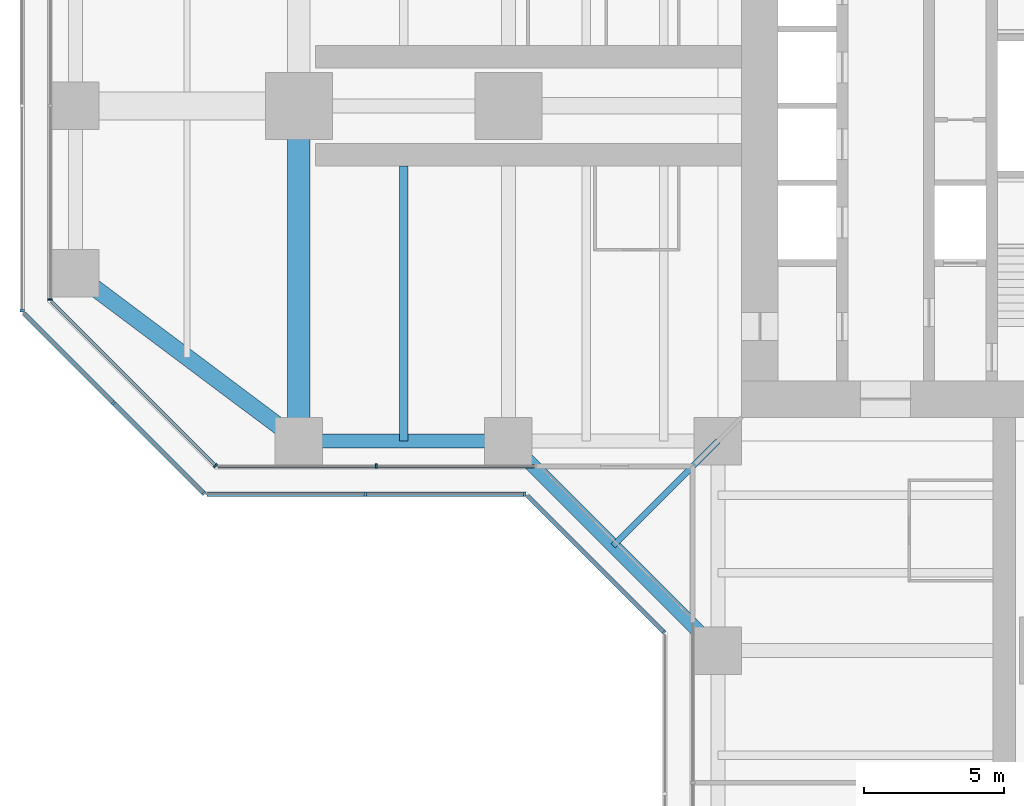
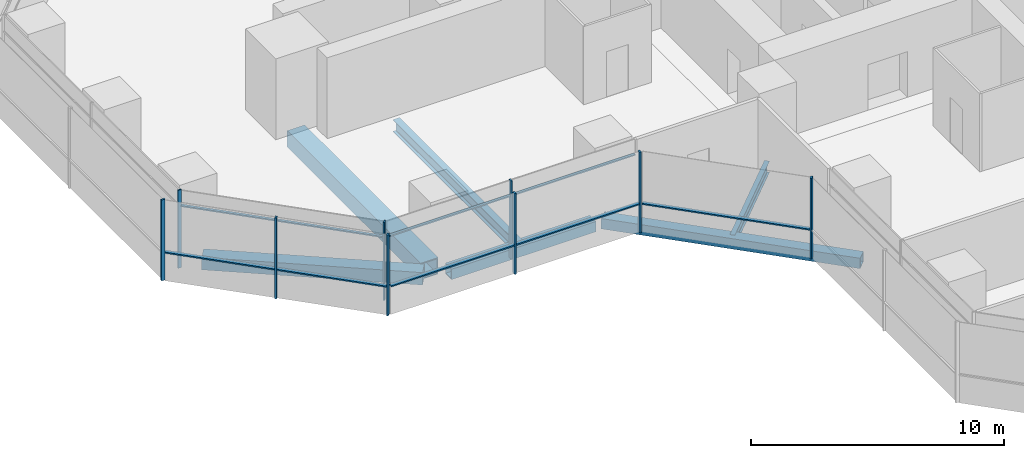
# One storey, part 3 of 22: 17 members, 6 beams, 7 elements without a shape of their own.
"""IFC4 building model written with IfcOpenShell, lengths in metres."""

from ifc_helpers import new_model, si_unit, direction, frame, origin, origin_2d, place, context, subcontext, project, spatial, rectangle, hollow_rectangle, i_section, extrude, material, material_profile, profile_set, type_object, element, aggregate, save


model = new_model("IFC4")

# Units and contexts
model_context = context("Model", 3, precision=1e-05, world=origin(), true_north=direction((0.0, 1.0)))
body_context = subcontext(model_context, "Body", "Model", "MODEL_VIEW")
ifc_project = project(units=[si_unit("LENGTHUNIT", "METRE"), si_unit("AREAUNIT", "SQUARE_METRE"), si_unit("VOLUMEUNIT", "CUBIC_METRE"), si_unit("PLANEANGLEUNIT", "RADIAN"), si_unit("MASSUNIT", "GRAM", prefix="KILO")], contexts=[model_context])

# Site, building, storey
site_placement = place(None, origin())
site = spatial("IfcSite", under=ifc_project, at=site_placement, CompositionType="ELEMENT")
building_placement = place(site_placement, origin())
building = spatial("IfcBuilding", under=site, at=building_placement, Name="Mizan Broadcast Tower", CompositionType="ELEMENT")
storey_placement = place(building_placement, frame((0.0, 0.0, 90.300048828125)))
storey = spatial("IfcBuildingStorey", under=building, at=storey_placement, Name="L19", CompositionType="ELEMENT", Elevation=90.300048828125)

# Beams
ifc_material_1 = material(Name="Steel S355", Category="steel")
ifc_material_profile_1 = material_profile(ifc_material_1, hollow_rectangle(XDim=0.5, YDim=0.5, WallThickness=0.030029296875, at=origin_2d()), Name="BOX 500x500x30")
ifc_profile_set_1 = profile_set([ifc_material_profile_1], Name="Steel S355")
beam_type_1 = type_object("IfcBeamType", Name="EDGE BEAM BOX 500x500x30", PredefinedType="SPANDREL", material=ifc_profile_set_1)
beam_1_placement = place(storey_placement, frame((-19.949951171875, -12.0, -0.380126953125), z_axis=(-1.0, 0.0, 0.0), x_axis=(0.0, -1.0, 0.0)))
element("IfcBeam", 1, at=beam_1_placement, inside=storey, type_object=beam_type_1, Name="Edge beam BOX 500x500x30 L19 west arm", PredefinedType="SPANDREL", context=body_context, shape_type="SweptSolid", body=[
    extrude(hollow_rectangle(XDim=0.5, YDim=0.5, WallThickness=0.030029296875, at=origin_2d()), origin(), (0.0, 0.0, 1.0), 6.60009765625),
])
beam_2_placement = place(storey_placement, frame((-19.5, -12.0, -0.380126953125), z_axis=(0.707106781187, -0.707106781187, 0.0), x_axis=(0.707106781187, 0.707106781187, 0.0)))
element("IfcBeam", 2, at=beam_2_placement, inside=storey, type_object=beam_type_1, Name="Winter garden edge beam L19 W", PredefinedType="SPANDREL", context=body_context, shape_type="SweptSolid", body=[
    extrude(hollow_rectangle(XDim=0.5, YDim=0.5, WallThickness=0.030029296875, at=origin_2d()), origin(), (0.0, 0.0, 1.0), 10.606689453125),
])
ifc_material_2 = material(Name="Steel S355", Category="steel")
ifc_material_profile_2 = material_profile(ifc_material_2, hollow_rectangle(XDim=0.60009765625, YDim=0.60009765625, WallThickness=0.030029296875, at=origin_2d()), Name="BOX 600x600x30")
ifc_profile_set_2 = profile_set([ifc_material_profile_2], Name="Steel S355")
beam_type_2 = type_object("IfcBeamType", Name="EDGE BEAM BOX 600x600x30", PredefinedType="SPANDREL", material=ifc_profile_set_2)
beam_3_placement = place(storey_placement, frame((-27.47998046875, -11.639892578125, -0.429931640625), z_axis=(-0.800013316712, 0.599982243973, 0.0), x_axis=(-0.599982243973, -0.800013316712, 0.0)))
element("IfcBeam", 3, at=beam_3_placement, inside=storey, type_object=beam_type_2, Name="Edge beam BOX 600x600x30 L19 west arm", PredefinedType="SPANDREL", context=body_context, shape_type="SweptSolid", body=[
    extrude(hollow_rectangle(XDim=0.60009765625, YDim=0.60009765625, WallThickness=0.030029296875, at=origin_2d()), origin(), (0.0, 0.0, 1.0), 8.7998046875),
])
ifc_material_3 = material(Name="Steel S460", Category="steel")
ifc_material_profile_3 = material_profile(ifc_material_3, hollow_rectangle(XDim=0.800048828125, YDim=0.800048828125, WallThickness=0.050048828125, at=origin_2d()), Name="BOX 800x800x50")
ifc_profile_set_3 = profile_set([ifc_material_profile_3], Name="Steel S460")
beam_type_3 = type_object("IfcBeamType", Name="GIRDER BOX 800x800x50", PredefinedType="BEAM", material=ifc_profile_set_3)
beam_4_placement = place(storey_placement, frame((-27.0, -11.280029296875, -0.530029296875), z_axis=(0.0, 1.0, 0.0), x_axis=(-1.0, 0.0, 0.0)))
element("IfcBeam", 4, at=beam_4_placement, inside=storey, type_object=beam_type_3, Name="Girder BOX 800x800x50 L19 west arm", PredefinedType="BEAM", context=body_context, shape_type="SweptSolid", body=[
    extrude(hollow_rectangle(XDim=0.800048828125, YDim=0.800048828125, WallThickness=0.050048828125, at=origin_2d()), origin(), (0.0, 0.0, 1.0), 10.56005859375),
])

# Curtain wall, member
ifc_material_4 = material(Name="Aluminium framed glazing", Category="aluminium")
curtain_wall_type_1 = type_object("IfcCurtainWallType", Name="INNER SKIN LOW ZONE", PredefinedType="USERDEFINED", material=ifc_material_4)
curtain_wall_1_placement = place(storey_placement, origin())
curtain_wall_1 = element("IfcCurtainWall", 5, at=curtain_wall_1_placement, inside=storey, type_object=curtain_wall_type_1, Name="Inner skin low zone L19 W end", ObjectType="INNER SKIN LOW ZONE", PredefinedType="USERDEFINED")
ifc_material_5 = material(Name="Aluminium, pale anodised", Category="aluminium")
ifc_material_profile_4 = material_profile(ifc_material_5, rectangle(XDim=0.159912109375, YDim=0.06005859375, at=origin_2d()), Name="MULLION 160x60")
ifc_profile_set_4 = profile_set([ifc_material_profile_4], Name="Aluminium, pale anodised")
member_type_1 = type_object("IfcMemberType", Name="INNER SKIN MULLION 60x160", PredefinedType="MULLION", material=ifc_profile_set_4)
member_1_placement = place(storey_placement, frame((-35.89990234375, -6.928466796875, 0.0), z_axis=(0.0, 0.0, 1.0), x_axis=(1.0, 0.0, 0.0)))
member_1 = element("IfcMember", 6, at=member_1_placement, type_object=member_type_1, Name="Inner skin low zone L19 W end mullion 3", PredefinedType="MULLION", context=body_context, shape_type="SweptSolid", body=[
    extrude(rectangle(XDim=0.159912109375, YDim=0.06005859375, at=origin_2d()), origin(), (0.0, 0.0, 1.0), 3.77001953125),
])
aggregate(curtain_wall_1, [member_1])

curtain_wall_2_placement = place(storey_placement, origin())
curtain_wall_2 = element("IfcCurtainWall", 7, at=curtain_wall_2_placement, inside=storey, type_object=curtain_wall_type_1, Name="Inner skin low zone L19 W chamfer", ObjectType="INNER SKIN LOW ZONE", PredefinedType="USERDEFINED")
member_2_placement = place(storey_placement, frame((-29.979736328125, -12.87890625, 0.0), z_axis=(0.0, 0.0, 1.0), x_axis=(0.707106781187, 0.707106781187, 0.0)))
member_2 = element("IfcMember", 8, at=member_2_placement, type_object=member_type_1, Name="Inner skin low zone L19 W chamfer mullion 2", PredefinedType="MULLION", context=body_context, shape_type="SweptSolid", body=[
    extrude(rectangle(XDim=0.159912109375, YDim=0.06005859375, at=origin_2d()), origin(), (0.0, 0.0, 1.0), 3.77001953125),
])

curtain_wall_3_placement = place(storey_placement, origin())
curtain_wall_3 = element("IfcCurtainWall", 9, at=curtain_wall_3_placement, inside=storey, type_object=curtain_wall_type_1, Name="Inner skin low zone L19 W side", ObjectType="INNER SKIN LOW ZONE", PredefinedType="USERDEFINED")
member_3_placement = place(storey_placement, frame((-24.229248046875, -12.89990234375, 0.0), z_axis=(0.0, 0.0, 1.0), x_axis=(0.0, 1.0, 0.0)))
member_3 = element("IfcMember", 10, at=member_3_placement, type_object=member_type_1, Name="Inner skin low zone L19 W side mullion 2", PredefinedType="MULLION", context=body_context, shape_type="SweptSolid", body=[
    extrude(rectangle(XDim=0.159912109375, YDim=0.06005859375, at=origin_2d()), origin(), (0.0, 0.0, 1.0), 3.77001953125),
])

# Member
ifc_material_6 = material(Name="Aluminium, pale anodised", Category="aluminium")
ifc_material_profile_5 = material_profile(ifc_material_6, rectangle(XDim=0.1201171875, YDim=0.06005859375, at=origin_2d()), Name="TRANSOM 120x60")
ifc_profile_set_5 = profile_set([ifc_material_profile_5], Name="Aluminium, pale anodised")
member_type_2 = type_object("IfcMemberType", Name="INNER SKIN TRANSOM 60x120", PredefinedType="USERDEFINED", material=ifc_profile_set_5)
member_4_placement = place(storey_placement, frame((-35.857666015625, -7.0009765625, 3.030029296875), z_axis=(0.707106781187, -0.707106781187, 0.0), x_axis=(0.707106781187, 0.707106781187, 0.0)))
member_4 = element("IfcMember", 11, at=member_4_placement, type_object=member_type_2, Name="Inner skin low zone L19 W chamfer transom 1.1", ObjectType="TRANSOM", PredefinedType="USERDEFINED", context=body_context, shape_type="SweptSolid", body=[
    extrude(rectangle(XDim=0.1201171875, YDim=0.06005859375, at=origin_2d()), origin(), (0.0, 0.0, 1.0), 8.28271484375),
])

aggregate(curtain_wall_2, [member_2, member_4])

member_5_placement = place(storey_placement, frame((-29.898681640625, -12.89990234375, 3.030029296875), z_axis=(1.0, 0.0, 0.0), x_axis=(0.0, 1.0, 0.0)))
member_5 = element("IfcMember", 12, at=member_5_placement, type_object=member_type_2, Name="Inner skin low zone L19 W side transom 1.1", ObjectType="TRANSOM", PredefinedType="USERDEFINED", context=body_context, shape_type="SweptSolid", body=[
    extrude(rectangle(XDim=0.1201171875, YDim=0.06005859375, at=origin_2d()), origin(), (0.0, 0.0, 1.0), 5.639404296875),
])

member_6_placement = place(storey_placement, frame((-24.19921875, -12.89990234375, 3.030029296875), z_axis=(1.0, 0.0, 0.0), x_axis=(0.0, 1.0, 0.0)))
member_6 = element("IfcMember", 13, at=member_6_placement, type_object=member_type_2, Name="Inner skin low zone L19 W side transom 2.1", ObjectType="TRANSOM", PredefinedType="USERDEFINED", context=body_context, shape_type="SweptSolid", body=[
    extrude(rectangle(XDim=0.1201171875, YDim=0.06005859375, at=origin_2d()), origin(), (0.0, 0.0, 1.0), 5.63916015625),
])

aggregate(curtain_wall_3, [member_3, member_5, member_6])

# Curtain wall, member
ifc_material_7 = material(Name="Aluminium framed glazing", Category="aluminium")
curtain_wall_type_2 = type_object("IfcCurtainWallType", Name="OUTER SKIN", PredefinedType="USERDEFINED", material=ifc_material_7)
curtain_wall_4_placement = place(storey_placement, origin())
curtain_wall_4 = element("IfcCurtainWall", 14, at=curtain_wall_4_placement, inside=storey, type_object=curtain_wall_type_2, Name="Outer skin L19 W end", ObjectType="OUTER SKIN", PredefinedType="USERDEFINED")
ifc_material_8 = material(Name="Aluminium, pale anodised", Category="aluminium")
ifc_material_profile_6 = material_profile(ifc_material_8, rectangle(XDim=0.159912109375, YDim=0.080078125, at=origin_2d()), Name="MULLION 160x80")
ifc_profile_set_6 = profile_set([ifc_material_profile_6], Name="Aluminium, pale anodised")
member_type_3 = type_object("IfcMemberType", Name="OUTER SKIN MULLION 80x160", PredefinedType="MULLION", material=ifc_profile_set_6)
member_7_placement = place(storey_placement, frame((-36.89990234375, -7.332763671875, 0.0), z_axis=(0.0, 0.0, 1.0), x_axis=(1.0, 0.0, 0.0)))
member_7 = element("IfcMember", 15, at=member_7_placement, type_object=member_type_3, Name="Outer skin L19 W end mullion 3", PredefinedType="MULLION", context=body_context, shape_type="SweptSolid", body=[
    extrude(rectangle(XDim=0.159912109375, YDim=0.080078125, at=origin_2d()), origin(), (0.0, 0.0, 1.0), 3.89990234375),
])
aggregate(curtain_wall_4, [member_7])

# Curtain wall, members
curtain_wall_5_placement = place(storey_placement, origin())
curtain_wall_5 = element("IfcCurtainWall", 16, at=curtain_wall_5_placement, inside=storey, type_object=curtain_wall_type_2, Name="Outer skin L19 W chamfer", ObjectType="OUTER SKIN", PredefinedType="USERDEFINED")
member_8_placement = place(storey_placement, frame((-33.636474609375, -10.636474609375, 0.0), z_axis=(0.0, 0.0, 1.0), x_axis=(0.707106781187, 0.707106781187, 0.0)))
member_8 = element("IfcMember", 17, at=member_8_placement, type_object=member_type_3, Name="Outer skin L19 W chamfer mullion 2", PredefinedType="MULLION", context=body_context, shape_type="SweptSolid", body=[
    extrude(rectangle(XDim=0.159912109375, YDim=0.080078125, at=origin_2d()), origin(), (0.0, 0.0, 1.0), 3.89990234375),
])
member_9_placement = place(storey_placement, frame((-30.401123046875, -13.871826171875, 0.0), z_axis=(0.0, 0.0, 1.0), x_axis=(0.707106781187, 0.707106781187, 0.0)))
member_9 = element("IfcMember", 18, at=member_9_placement, type_object=member_type_3, Name="Outer skin L19 W chamfer mullion 3", PredefinedType="MULLION", context=body_context, shape_type="SweptSolid", body=[
    extrude(rectangle(XDim=0.159912109375, YDim=0.080078125, at=origin_2d()), origin(), (0.0, 0.0, 1.0), 3.89990234375),
])

curtain_wall_6_placement = place(storey_placement, origin())
curtain_wall_6 = element("IfcCurtainWall", 19, at=curtain_wall_6_placement, inside=storey, type_object=curtain_wall_type_2, Name="Outer skin L19 W side", ObjectType="OUTER SKIN", PredefinedType="USERDEFINED")
member_10_placement = place(storey_placement, frame((-24.622802734375, -13.89990234375, 0.0), z_axis=(0.0, 0.0, 1.0), x_axis=(0.0, 1.0, 0.0)))
member_10 = element("IfcMember", 20, at=member_10_placement, type_object=member_type_3, Name="Outer skin L19 W side mullion 2", PredefinedType="MULLION", context=body_context, shape_type="SweptSolid", body=[
    extrude(rectangle(XDim=0.159912109375, YDim=0.080078125, at=origin_2d()), origin(), (0.0, 0.0, 1.0), 3.89990234375),
])
member_11_placement = place(storey_placement, frame((-18.912841796875, -13.89990234375, 0.0), z_axis=(0.0, 0.0, 1.0), x_axis=(0.0, 1.0, 0.0)))
member_11 = element("IfcMember", 21, at=member_11_placement, type_object=member_type_3, Name="Outer skin L19 W side mullion 3", PredefinedType="MULLION", context=body_context, shape_type="SweptSolid", body=[
    extrude(rectangle(XDim=0.159912109375, YDim=0.080078125, at=origin_2d()), origin(), (0.0, 0.0, 1.0), 3.89990234375),
])

# Curtain wall, member
curtain_wall_7_placement = place(storey_placement, origin())
curtain_wall_7 = element("IfcCurtainWall", 22, at=curtain_wall_7_placement, inside=storey, type_object=curtain_wall_type_2, Name="Outer skin L19 W chamfer", ObjectType="OUTER SKIN", PredefinedType="USERDEFINED")
member_12_placement = place(storey_placement, frame((-13.92822265625, -18.844482421875, 0.0), z_axis=(0.0, 0.0, 1.0), x_axis=(0.707106781187, 0.707106781187, 0.0)))
member_12 = element("IfcMember", 23, at=member_12_placement, type_object=member_type_3, Name="Outer skin L19 W chamfer mullion 2", PredefinedType="MULLION", context=body_context, shape_type="SweptSolid", body=[
    extrude(rectangle(XDim=0.159912109375, YDim=0.080078125, at=origin_2d()), origin(), (0.0, 0.0, 1.0), 3.89990234375),
])

# Member
ifc_material_9 = material(Name="Aluminium, pale anodised", Category="aluminium")
ifc_material_profile_7 = material_profile(ifc_material_9, rectangle(XDim=0.159912109375, YDim=0.06005859375, at=origin_2d()), Name="TRANSOM 160x60")
ifc_profile_set_7 = profile_set([ifc_material_profile_7], Name="Aluminium, pale anodised")
member_type_4 = type_object("IfcMemberType", Name="OUTER SKIN TRANSOM 60x160", PredefinedType="USERDEFINED", material=ifc_profile_set_7)
member_13_placement = place(storey_placement, frame((-36.843505859375, -7.429443359375, 1.39990234375), z_axis=(0.707106781187, -0.707106781187, 0.0), x_axis=(0.707106781187, 0.707106781187, 0.0)))
member_13 = element("IfcMember", 24, at=member_13_placement, type_object=member_type_4, Name="Outer skin L19 W chamfer transom 1.1", ObjectType="TRANSOM", PredefinedType="USERDEFINED", context=body_context, shape_type="SweptSolid", body=[
    extrude(rectangle(XDim=0.159912109375, YDim=0.06005859375, at=origin_2d()), origin(), (0.0, 0.0, 1.0), 4.495361328125),
])

member_14_placement = place(storey_placement, frame((-33.608154296875, -10.664794921875, 1.39990234375), z_axis=(0.707106781187, -0.707106781187, 0.0), x_axis=(0.707106781187, 0.707106781187, 0.0)))
member_14 = element("IfcMember", 25, at=member_14_placement, type_object=member_type_4, Name="Outer skin L19 W chamfer transom 2.1", ObjectType="TRANSOM", PredefinedType="USERDEFINED", context=body_context, shape_type="SweptSolid", body=[
    extrude(rectangle(XDim=0.159912109375, YDim=0.06005859375, at=origin_2d()), origin(), (0.0, 0.0, 1.0), 4.495361328125),
])

aggregate(curtain_wall_5, [member_8, member_9, member_13, member_14])

member_15_placement = place(storey_placement, frame((-30.292724609375, -13.89990234375, 1.39990234375), z_axis=(1.0, 0.0, 0.0), x_axis=(0.0, 1.0, 0.0)))
member_15 = element("IfcMember", 26, at=member_15_placement, type_object=member_type_4, Name="Outer skin L19 W side transom 1.1", ObjectType="TRANSOM", PredefinedType="USERDEFINED", context=body_context, shape_type="SweptSolid", body=[
    extrude(rectangle(XDim=0.159912109375, YDim=0.06005859375, at=origin_2d()), origin(), (0.0, 0.0, 1.0), 5.6298828125),
])

member_16_placement = place(storey_placement, frame((-24.582763671875, -13.89990234375, 1.39990234375), z_axis=(1.0, 0.0, 0.0), x_axis=(0.0, 1.0, 0.0)))
member_16 = element("IfcMember", 27, at=member_16_placement, type_object=member_type_4, Name="Outer skin L19 W side transom 2.1", ObjectType="TRANSOM", PredefinedType="USERDEFINED", context=body_context, shape_type="SweptSolid", body=[
    extrude(rectangle(XDim=0.159912109375, YDim=0.06005859375, at=origin_2d()), origin(), (0.0, 0.0, 1.0), 5.6298828125),
])

aggregate(curtain_wall_6, [member_10, member_11, member_15, member_16])

member_17_placement = place(storey_placement, frame((-18.816162109375, -13.95654296875, 1.39990234375), z_axis=(0.707106781187, -0.707106781187, 0.0), x_axis=(0.707106781187, 0.707106781187, 0.0)))
member_17 = element("IfcMember", 28, at=member_17_placement, type_object=member_type_4, Name="Outer skin L19 W chamfer transom 1.1", ObjectType="TRANSOM", PredefinedType="USERDEFINED", context=body_context, shape_type="SweptSolid", body=[
    extrude(rectangle(XDim=0.159912109375, YDim=0.06005859375, at=origin_2d()), origin(), (0.0, 0.0, 1.0), 6.87255859375),
])

aggregate(curtain_wall_7, [member_12, member_17])

# Beams
ifc_material_10 = material(Name="Steel S355", Category="steel")
ifc_material_profile_8 = material_profile(ifc_material_10, i_section(OverallWidth=0.300048828125, OverallDepth=0.590087890625, WebThickness=0.012939453125, FlangeThickness=0.02490234375, FilletRadius=0.027099609375, at=origin_2d()), Name="HEA 600")
ifc_profile_set_8 = profile_set([ifc_material_profile_8], Name="Steel S355")
beam_type_4 = type_object("IfcBeamType", Name="SECONDARY BEAM HEA 600", PredefinedType="JOIST", material=ifc_profile_set_8)
beam_5_placement = place(storey_placement, frame((-23.25, -12.0, -0.425048828125), z_axis=(0.0, 1.0, 0.0), x_axis=(-1.0, 0.0, 0.0)))
element("IfcBeam", 29, at=beam_5_placement, inside=storey, type_object=beam_type_4, Name="Secondary beam HEA 600 L19 west arm", PredefinedType="JOIST", context=body_context, shape_type="SweptSolid", body=[
    extrude(i_section(OverallWidth=0.300048828125, OverallDepth=0.590087890625, WebThickness=0.012939453125, FlangeThickness=0.02490234375, FilletRadius=0.027099609375, at=origin_2d()), origin(), (0.0, 0.0, 1.0), 9.85009765625),
])
ifc_material_11 = material(Name="Steel S355", Category="steel")
ifc_material_profile_9 = material_profile(ifc_material_11, i_section(OverallWidth=0.2099609375, OverallDepth=0.550048828125, WebThickness=0.010986328125, FlangeThickness=0.01708984375, FilletRadius=0.02392578125, at=origin_2d()), Name="IPE 550")
ifc_profile_set_9 = profile_set([ifc_material_profile_9], Name="Steel S355")
beam_type_5 = type_object("IfcBeamType", Name="SECONDARY BEAM IPE 550", PredefinedType="JOIST", material=ifc_profile_set_9)
beam_6_placement = place(storey_placement, frame((-12.0, -12.0, -0.405029296875), z_axis=(-0.707106781187, -0.707106781187, 0.0), x_axis=(0.707106781187, -0.707106781187, 0.0)))
element("IfcBeam", 30, at=beam_6_placement, inside=storey, type_object=beam_type_5, Name="Winter garden beam L19 W", PredefinedType="JOIST", context=body_context, shape_type="SweptSolid", body=[
    extrude(i_section(OverallWidth=0.2099609375, OverallDepth=0.550048828125, WebThickness=0.010986328125, FlangeThickness=0.01708984375, FilletRadius=0.02392578125, at=origin_2d()), origin(), (0.0, 0.0, 1.0), 5.30322265625),
])

save(model, "model.ifc")
